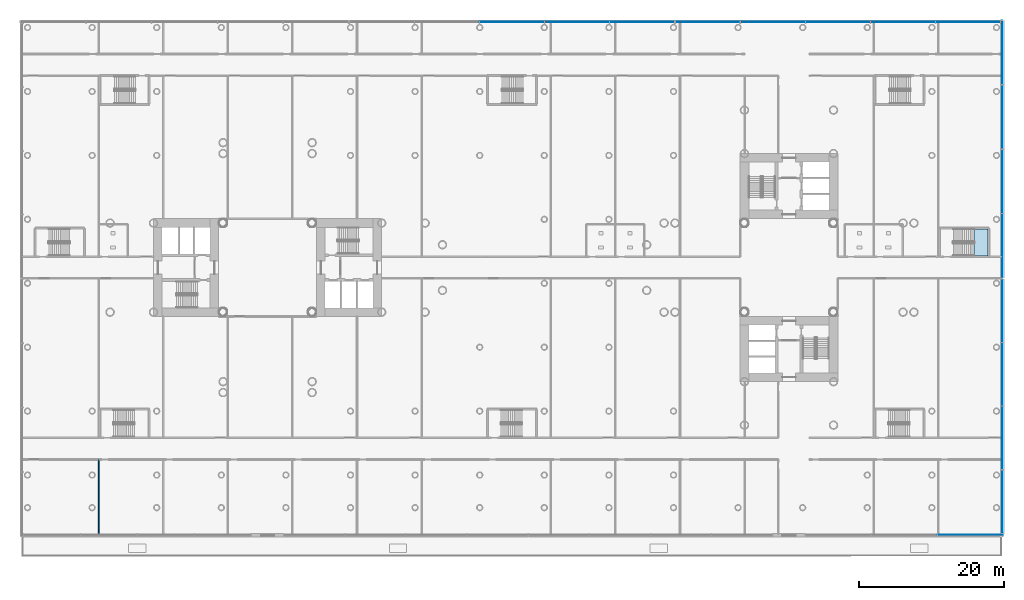
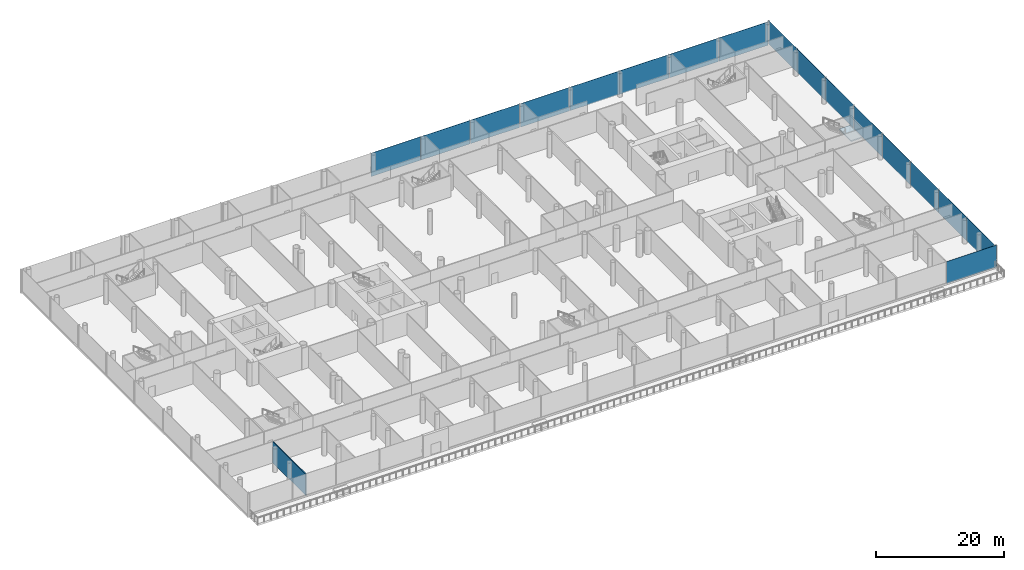
# One storey, part 16 of 49: 17 plates, 1 slab, 1 wall, 6 elements without a shape of their own.
"""IFC4 building model written with IfcOpenShell, lengths in metres."""

from ifc_helpers import new_model, si_unit, direction, frame, frame_2d, origin, origin_2d, place, context, subcontext, project, spatial, polyline, rectangle, outline, extrude, material, layer, layer_set, type_object, element, aggregate, save


model = new_model("IFC4")

# Units and contexts
model_context = context("Model", 3, precision=1e-05, world=origin(), true_north=direction((0.0, 1.0)))
body_context = subcontext(model_context, "Body", "Model", "MODEL_VIEW")
ifc_project = project(units=[si_unit("LENGTHUNIT", "METRE"), si_unit("AREAUNIT", "SQUARE_METRE"), si_unit("VOLUMEUNIT", "CUBIC_METRE"), si_unit("PLANEANGLEUNIT", "RADIAN"), si_unit("MASSUNIT", "GRAM", prefix="KILO")], contexts=[model_context])

# Site, building, storey
site_placement = place(None, origin())
site = spatial("IfcSite", under=ifc_project, at=site_placement, CompositionType="ELEMENT")
building_placement = place(site_placement, origin())
building = spatial("IfcBuilding", under=site, at=building_placement, Name="Ipe Terrace Towers", CompositionType="ELEMENT")
storey_placement = place(building_placement, frame((0.0, 0.0, 11.0)))
storey = spatial("IfcBuildingStorey", under=building, at=storey_placement, Name="L02", CompositionType="ELEMENT", Elevation=11.0)

# Stair, slab
ifc_material_1 = material(Name="Concrete C30/37", Category="concrete")
stair_type = type_object("IfcStairType", Name="Protected exit stair", PredefinedType="HALF_TURN_STAIR", material=ifc_material_1)
stair_placement = place(storey_placement, origin())
stair = element("IfcStair", 1, at=stair_placement, inside=storey, type_object=stair_type, Name="L02 Podium exit stair PS8", PredefinedType="HALF_TURN_STAIR")
ifc_material_2 = material(Name="Concrete C30/37", Category="concrete")
ifc_layer_1 = layer(ifc_material_2, 0.199951171875)
ifc_layer_set_1 = layer_set([ifc_layer_1], Name="Exit stair landing 200")
slab_type = type_object("IfcSlabType", Name="Exit stair landing 200", PredefinedType="LANDING", material=ifc_layer_set_1)
slab_placement = place(storey_placement, frame((0.0, 0.0, 2.050048828125)))
slab = element("IfcSlab", 2, at=slab_placement, type_object=slab_type, Name="PS8 landing 1", PredefinedType="LANDING", context=body_context, shape_type="SweptSolid", body=[
    extrude(outline(polyline([(61.550048828125, 1.60009765625), (63.489990234375, 1.60009765625), (63.489990234375, 5.35009765625), (61.550048828125, 5.35009765625), (61.550048828125, 1.60009765625)])), origin(), (0.0, 0.0, 1.0), 0.199951171875),
])
aggregate(stair, [slab])

# Curtain wall, plates
ifc_material_3 = material(Name="Aluminium alloy 6063-T6", Category="aluminium")
ifc_layer_2 = layer(ifc_material_3, 0.43994140625)
ifc_layer_set_2 = layer_set([ifc_layer_2], Name="PODIUM GLAZING CURTAIN WALL")
curtain_wall_type = type_object("IfcCurtainWallType", Name="PODIUM GLAZING CURTAIN WALL", PredefinedType="NOTDEFINED", material=ifc_layer_set_2)
curtain_wall_1_placement = place(storey_placement, origin())
curtain_wall_1 = element("IfcCurtainWall", 3, at=curtain_wall_1_placement, inside=storey, type_object=curtain_wall_type, Name="POD-CW-L02-00a curtain wall", PredefinedType="NOTDEFINED")
ifc_material_4 = material(Name="Glass, clear laminated", Category="glass")
ifc_layer_3 = layer(ifc_material_4, 0.035888671875)
ifc_layer_set_3 = layer_set([ifc_layer_3], Name="PODIUM GLAZING GLASS PANEL 36")
plate_type = type_object("IfcPlateType", Name="PODIUM GLAZING GLASS PANEL 36", PredefinedType="CURTAIN_PANEL", material=ifc_layer_set_3)
plate_1_placement = place(storey_placement, frame((65.39990234375, -32.313720703125, -0.300048828125), z_axis=(0.0, 0.0, 1.0), x_axis=(0.0, 1.0, 0.0)))
plate_1 = element("IfcPlate", 4, at=plate_1_placement, type_object=plate_type, Name="POD-CW-L02-00a panel 1", PredefinedType="CURTAIN_PANEL", context=body_context, shape_type="SweptSolid", body=[
    extrude(rectangle(XDim=8.71240234375, YDim=0.035888671875, at=origin_2d()), origin(), (0.0, 0.0, 1.0), 4.5),
])
plate_2_placement = place(storey_placement, frame((65.39990234375, -23.521240234375, -0.300048828125), z_axis=(0.0, 0.0, 1.0), x_axis=(0.0, 1.0, 0.0)))
plate_2 = element("IfcPlate", 5, at=plate_2_placement, type_object=plate_type, Name="POD-CW-L02-00a panel 2", PredefinedType="CURTAIN_PANEL", context=body_context, shape_type="SweptSolid", body=[
    extrude(rectangle(XDim=8.71240234375, YDim=0.035888671875, at=origin_2d()), origin(), (0.0, 0.0, 1.0), 4.5),
])
plate_3_placement = place(storey_placement, frame((65.39990234375, -14.728759765625, -0.300048828125), z_axis=(0.0, 0.0, 1.0), x_axis=(0.0, 1.0, 0.0)))
plate_3 = element("IfcPlate", 6, at=plate_3_placement, type_object=plate_type, Name="POD-CW-L02-00a panel 3", PredefinedType="CURTAIN_PANEL", context=body_context, shape_type="SweptSolid", body=[
    extrude(rectangle(XDim=8.71240234375, YDim=0.035888671875, at=origin_2d()), origin(), (0.0, 0.0, 1.0), 4.5),
])
plate_4_placement = place(storey_placement, frame((65.39990234375, -5.936279296875, -0.300048828125), z_axis=(0.0, 0.0, 1.0), x_axis=(0.0, 1.0, 0.0)))
plate_4 = element("IfcPlate", 7, at=plate_4_placement, type_object=plate_type, Name="POD-CW-L02-00a panel 4", PredefinedType="CURTAIN_PANEL", context=body_context, shape_type="SweptSolid", body=[
    extrude(rectangle(XDim=8.71240234375, YDim=0.035888671875, at=origin_2d()), origin(), (0.0, 0.0, 1.0), 4.5),
])
aggregate(curtain_wall_1, [plate_1, plate_2, plate_3, plate_4])

curtain_wall_2_placement = place(storey_placement, origin())
curtain_wall_2 = element("IfcCurtainWall", 8, at=curtain_wall_2_placement, inside=storey, type_object=curtain_wall_type, Name="POD-CW-L02-00b curtain wall", PredefinedType="NOTDEFINED")
plate_5_placement = place(storey_placement, frame((65.39990234375, 2.9912109375, -0.300048828125), z_axis=(0.0, 0.0, 1.0), x_axis=(0.0, 1.0, 0.0)))
plate_5 = element("IfcPlate", 9, at=plate_5_placement, type_object=plate_type, Name="POD-CW-L02-00b panel 1", PredefinedType="CURTAIN_PANEL", context=body_context, shape_type="SweptSolid", body=[
    extrude(rectangle(XDim=8.822509765625, YDim=0.035888671875, at=origin_2d()), origin(), (0.0, 0.0, 1.0), 4.5),
])
plate_6_placement = place(storey_placement, frame((65.39990234375, 11.893798828125, -0.300048828125), z_axis=(0.0, 0.0, 1.0), x_axis=(0.0, 1.0, 0.0)))
plate_6 = element("IfcPlate", 10, at=plate_6_placement, type_object=plate_type, Name="POD-CW-L02-00b panel 2", PredefinedType="CURTAIN_PANEL", context=body_context, shape_type="SweptSolid", body=[
    extrude(rectangle(XDim=8.822509765625, YDim=0.035888671875, at=origin_2d()), origin(), (0.0, 0.0, 1.0), 4.5),
])
plate_7_placement = place(storey_placement, frame((65.39990234375, 20.796142578125, -0.300048828125), z_axis=(0.0, 0.0, 1.0), x_axis=(0.0, 1.0, 0.0)))
plate_7 = element("IfcPlate", 11, at=plate_7_placement, type_object=plate_type, Name="POD-CW-L02-00b panel 3", PredefinedType="CURTAIN_PANEL", context=body_context, shape_type="SweptSolid", body=[
    extrude(rectangle(XDim=8.822509765625, YDim=0.035888671875, at=origin_2d()), origin(), (0.0, 0.0, 1.0), 4.5),
])
plate_8_placement = place(storey_placement, frame((65.39990234375, 29.69873046875, -0.300048828125), z_axis=(0.0, 0.0, 1.0), x_axis=(0.0, 1.0, 0.0)))
plate_8 = element("IfcPlate", 12, at=plate_8_placement, type_object=plate_type, Name="POD-CW-L02-00b panel 4", PredefinedType="CURTAIN_PANEL", context=body_context, shape_type="SweptSolid", body=[
    extrude(rectangle(XDim=8.822509765625, YDim=0.035888671875, at=origin_2d()), origin(), (0.0, 0.0, 1.0), 4.5),
])
aggregate(curtain_wall_2, [plate_5, plate_6, plate_7, plate_8])

curtain_wall_3_placement = place(storey_placement, origin())
curtain_wall_3 = element("IfcCurtainWall", 13, at=curtain_wall_3_placement, inside=storey, type_object=curtain_wall_type, Name="POD-CW-L02-01a curtain wall", PredefinedType="NOTDEFINED")
plate_9_placement = place(storey_placement, frame((60.718017578125, 33.89990234375, -0.300048828125), z_axis=(0.0, 0.0, 1.0), x_axis=(-1.0, 0.0, 0.0)))
plate_9 = element("IfcPlate", 14, at=plate_9_placement, type_object=plate_type, Name="POD-CW-L02-01a panel 1", PredefinedType="CURTAIN_PANEL", context=body_context, shape_type="SweptSolid", body=[
    extrude(rectangle(XDim=8.904052734375, YDim=0.035888671875, at=origin_2d()), origin(), (0.0, 0.0, 1.0), 4.5),
])
plate_10_placement = place(storey_placement, frame((51.73388671875, 33.89990234375, -0.300048828125), z_axis=(0.0, 0.0, 1.0), x_axis=(-1.0, 0.0, 0.0)))
plate_10 = element("IfcPlate", 15, at=plate_10_placement, type_object=plate_type, Name="POD-CW-L02-01a panel 2", PredefinedType="CURTAIN_PANEL", context=body_context, shape_type="SweptSolid", body=[
    extrude(rectangle(XDim=8.904052734375, YDim=0.035888671875, at=origin_2d()), origin(), (0.0, 0.0, 1.0), 4.5),
])
plate_11_placement = place(storey_placement, frame((42.75, 33.89990234375, -0.300048828125), z_axis=(0.0, 0.0, 1.0), x_axis=(-1.0, 0.0, 0.0)))
plate_11 = element("IfcPlate", 16, at=plate_11_placement, type_object=plate_type, Name="POD-CW-L02-01a panel 3", PredefinedType="CURTAIN_PANEL", context=body_context, shape_type="SweptSolid", body=[
    extrude(rectangle(XDim=8.904052734375, YDim=0.035888671875, at=origin_2d()), origin(), (0.0, 0.0, 1.0), 4.5),
])
plate_12_placement = place(storey_placement, frame((33.76611328125, 33.89990234375, -0.300048828125), z_axis=(0.0, 0.0, 1.0), x_axis=(-1.0, 0.0, 0.0)))
plate_12 = element("IfcPlate", 17, at=plate_12_placement, type_object=plate_type, Name="POD-CW-L02-01a panel 4", PredefinedType="CURTAIN_PANEL", context=body_context, shape_type="SweptSolid", body=[
    extrude(rectangle(XDim=8.904052734375, YDim=0.035888671875, at=origin_2d()), origin(), (0.0, 0.0, 1.0), 4.5),
])
plate_13_placement = place(storey_placement, frame((24.781982421875, 33.89990234375, -0.300048828125), z_axis=(0.0, 0.0, 1.0), x_axis=(-1.0, 0.0, 0.0)))
plate_13 = element("IfcPlate", 18, at=plate_13_placement, type_object=plate_type, Name="POD-CW-L02-01a panel 5", PredefinedType="CURTAIN_PANEL", context=body_context, shape_type="SweptSolid", body=[
    extrude(rectangle(XDim=8.904052734375, YDim=0.035888671875, at=origin_2d()), origin(), (0.0, 0.0, 1.0), 4.5),
])
aggregate(curtain_wall_3, [plate_9, plate_10, plate_11, plate_12, plate_13])

curtain_wall_4_placement = place(storey_placement, origin())
curtain_wall_4 = element("IfcCurtainWall", 19, at=curtain_wall_4_placement, inside=storey, type_object=curtain_wall_type, Name="POD-CW-L02-01b curtain wall", PredefinedType="NOTDEFINED")
plate_14_placement = place(storey_placement, frame((15.718017578125, 33.89990234375, -0.300048828125), z_axis=(0.0, 0.0, 1.0), x_axis=(-1.0, 0.0, 0.0)))
plate_14 = element("IfcPlate", 20, at=plate_14_placement, type_object=plate_type, Name="POD-CW-L02-01b panel 1", PredefinedType="CURTAIN_PANEL", context=body_context, shape_type="SweptSolid", body=[
    extrude(rectangle(XDim=8.904052734375, YDim=0.035888671875, at=origin_2d()), origin(), (0.0, 0.0, 1.0), 4.5),
])
plate_15_placement = place(storey_placement, frame((6.73388671875, 33.89990234375, -0.300048828125), z_axis=(0.0, 0.0, 1.0), x_axis=(-1.0, 0.0, 0.0)))
plate_15 = element("IfcPlate", 21, at=plate_15_placement, type_object=plate_type, Name="POD-CW-L02-01b panel 2", PredefinedType="CURTAIN_PANEL", context=body_context, shape_type="SweptSolid", body=[
    extrude(rectangle(XDim=8.904052734375, YDim=0.035888671875, at=origin_2d()), origin(), (0.0, 0.0, 1.0), 4.5),
])
plate_16_placement = place(storey_placement, frame((-2.25, 33.89990234375, -0.300048828125), z_axis=(0.0, 0.0, 1.0), x_axis=(-1.0, 0.0, 0.0)))
plate_16 = element("IfcPlate", 22, at=plate_16_placement, type_object=plate_type, Name="POD-CW-L02-01b panel 3", PredefinedType="CURTAIN_PANEL", context=body_context, shape_type="SweptSolid", body=[
    extrude(rectangle(XDim=8.904052734375, YDim=0.035888671875, at=origin_2d()), origin(), (0.0, 0.0, 1.0), 4.5),
])
aggregate(curtain_wall_4, [plate_14, plate_15, plate_16])

# Curtain wall, plate
curtain_wall_5_placement = place(storey_placement, origin())
curtain_wall_5 = element("IfcCurtainWall", 23, at=curtain_wall_5_placement, inside=storey, type_object=curtain_wall_type, Name="POD-CW-L02-03f curtain wall", PredefinedType="NOTDEFINED")
plate_17_placement = place(storey_placement, frame((61.090087890625, -36.89990234375, -0.02001953125), z_axis=(0.0, 0.0, 1.0), x_axis=(1.0, 0.0, 0.0)))
plate_17 = element("IfcPlate", 24, at=plate_17_placement, type_object=plate_type, Name="POD-CW-L02-03f panel 3", PredefinedType="CURTAIN_PANEL", context=body_context, shape_type="SweptSolid", body=[
    extrude(rectangle(XDim=9.0400390625, YDim=0.035888671875, at=origin_2d()), origin(), (0.0, 0.0, 1.0), 4.219970703125),
])
aggregate(curtain_wall_5, [plate_17])

# Wall
ifc_material_5 = material(Name="Gypsum board partition", Category="plasterboard")
ifc_layer_4 = layer(ifc_material_5, 0.14990234375)
ifc_layer_set_4 = layer_set([ifc_layer_4], Name="Gypsum board partition 150 mm")
wall_type = type_object("IfcWallType", Name="Gypsum board partition 150 mm", PredefinedType="PARTITIONING", material=ifc_layer_set_4)
wall_placement = place(storey_placement, frame((-59.330078125, -26.5, 0.0), z_axis=(0.0, 0.0, 1.0), x_axis=(0.0, -1.0, 0.0)))
element("IfcWall", 25, at=wall_placement, inside=storey, type_object=wall_type, Name="Gypsum board partition T1 L02 pd-r0-r4-w1", PredefinedType="PARTITIONING", context=body_context, shape_type="SweptSolid", body=[
    extrude(rectangle(XDim=10.35009765625, YDim=0.14990234375, at=frame_2d((5.175048828125, 0.0))), origin(), (0.0, 0.0, 1.0), 4.080078125),
])

save(model, "model.ifc")
